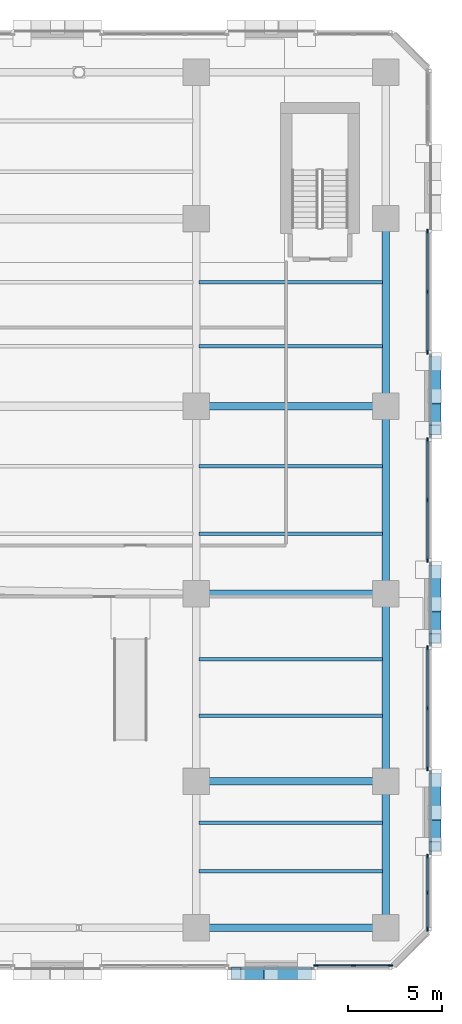
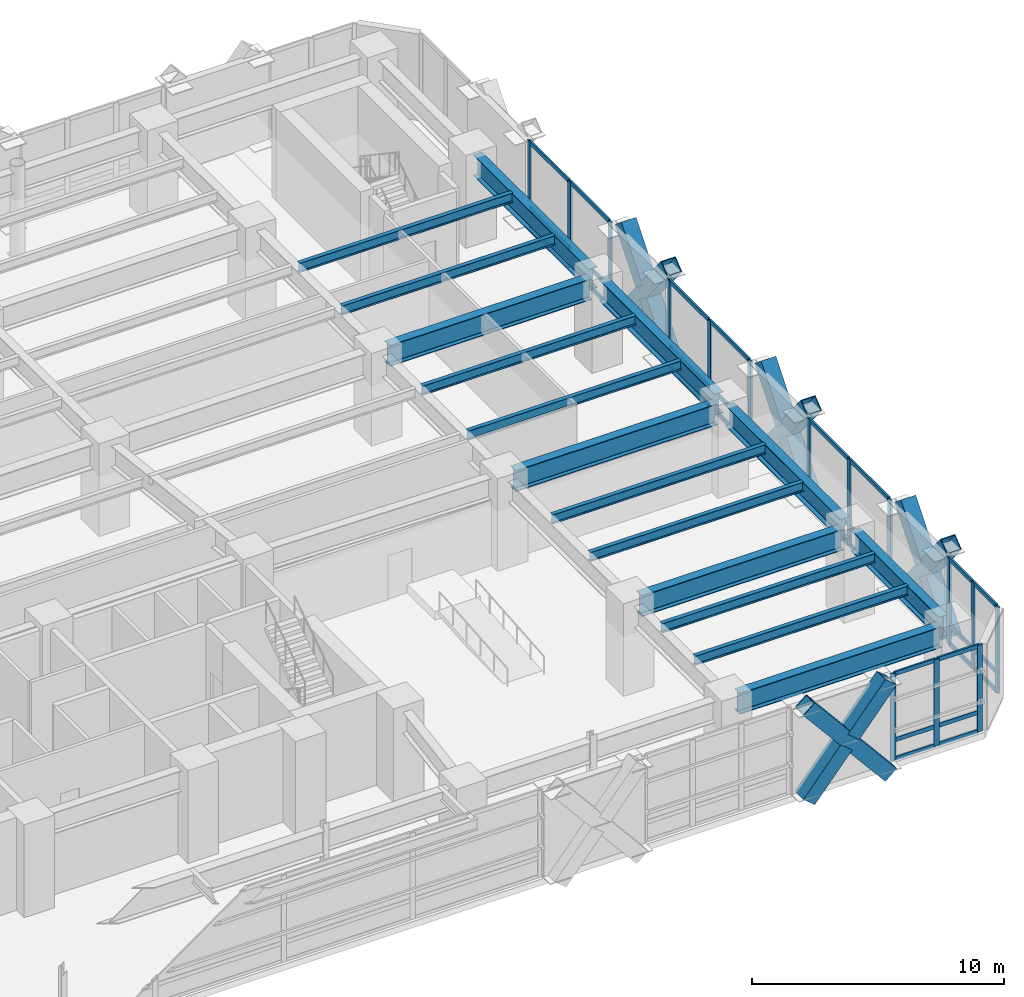
# One storey, part 12 of 30: 57 members, 16 beams, 5 elements without a shape of their own.
"""IFC4 building model written with IfcOpenShell, lengths in metres."""

from ifc_helpers import new_model, si_unit, direction, frame, origin, origin_2d, place, context, subcontext, project, spatial, rectangle, hollow_rectangle, i_section, extrude, material, material_profile, profile_set, type_object, element, aggregate, save


model = new_model("IFC4")

# Units and contexts
model_context = context("Model", 3, precision=1e-05, world=origin(), true_north=direction((0.0, 1.0)))
body_context = subcontext(model_context, "Body", "Model", "MODEL_VIEW")
ifc_project = project(units=[si_unit("LENGTHUNIT", "METRE"), si_unit("AREAUNIT", "SQUARE_METRE"), si_unit("VOLUMEUNIT", "CUBIC_METRE"), si_unit("PLANEANGLEUNIT", "RADIAN"), si_unit("MASSUNIT", "GRAM", prefix="KILO")], contexts=[model_context])

# Site, building, storey
site_placement = place(None, origin())
site = spatial("IfcSite", under=ifc_project, at=site_placement, CompositionType="ELEMENT")
building_placement = place(site_placement, origin())
building = spatial("IfcBuilding", under=site, at=building_placement, Name="Quenlor Broadcast Tower", CompositionType="ELEMENT")
storey_placement = place(building_placement, frame((0.0, 0.0, 9.5)))
storey = spatial("IfcBuildingStorey", under=building, at=storey_placement, Name="L02", CompositionType="ELEMENT", Elevation=9.5)

# Curtain wall, members
ifc_material_1 = material(Name="Architectural Terracotta and Low-E Glazing", Category="masonry")
curtain_wall_type = type_object("IfcCurtainWallType", Name="Station Concourse and Crown Terracotta Curtain Wall", PredefinedType="NOTDEFINED", material=ifc_material_1)
curtain_wall_1_placement = place(storey_placement, origin())
curtain_wall_1 = element("IfcCurtainWall", 1, at=curtain_wall_1_placement, inside=storey, type_object=curtain_wall_type, Name="L02 Curtain Wall CW6 (L02-S-FULL-G1)", PredefinedType="NOTDEFINED")
ifc_material_2 = material(Name="Aluminium 6063-T6", Category="aluminium")
ifc_material_profile_1 = material_profile(ifc_material_2, rectangle(XDim=0.08203125, YDim=0.239990234375, at=origin_2d()))
ifc_profile_set_1 = profile_set([ifc_material_profile_1], Name="Aluminium 6063-T6 MULL82x240")
member_type_1 = type_object("IfcMemberType", Name="CW6 Aluminium Mullion MULL_CW6", PredefinedType="MULLION", material=ifc_profile_set_1)
member_1_placement = place(storey_placement, frame((34.85888671875, -24.820068359375, 0.0), z_axis=(0.0, 0.0, 1.0), x_axis=(0.0, -1.0, 0.0)))
member_1 = element("IfcMember", 2, at=member_1_placement, type_object=member_type_1, Name="CW6 mullion 1", PredefinedType="MULLION", context=body_context, shape_type="SweptSolid", body=[
    extrude(rectangle(XDim=0.08203125, YDim=0.239990234375, at=origin_2d()), origin(), (0.0, 0.0, 1.0), 4.199951171875),
])
member_2_placement = place(storey_placement, frame((32.874755859375, -24.820068359375, 0.0), z_axis=(0.0, 0.0, 1.0), x_axis=(0.0, -1.0, 0.0)))
member_2 = element("IfcMember", 3, at=member_2_placement, type_object=member_type_1, Name="CW6 mullion 2", PredefinedType="MULLION", context=body_context, shape_type="SweptSolid", body=[
    extrude(rectangle(XDim=0.08203125, YDim=0.239990234375, at=origin_2d()), origin(), (0.0, 0.0, 1.0), 4.199951171875),
])
member_3_placement = place(storey_placement, frame((30.890380859375, -24.820068359375, 0.0), z_axis=(0.0, 0.0, 1.0), x_axis=(0.0, -1.0, 0.0)))
member_3 = element("IfcMember", 4, at=member_3_placement, type_object=member_type_1, Name="CW6 mullion 3", PredefinedType="MULLION", context=body_context, shape_type="SweptSolid", body=[
    extrude(rectangle(XDim=0.08203125, YDim=0.239990234375, at=origin_2d()), origin(), (0.0, 0.0, 1.0), 4.199951171875),
])

curtain_wall_2_placement = place(storey_placement, origin())
curtain_wall_2 = element("IfcCurtainWall", 5, at=curtain_wall_2_placement, inside=storey, type_object=curtain_wall_type, Name="L02 Curtain Wall CW6 (L02-E-FULL-G2)", PredefinedType="NOTDEFINED")
member_4_placement = place(storey_placement, frame((36.820068359375, 14.306396484375, 0.0), z_axis=(0.0, 0.0, 1.0), x_axis=(1.0, 0.0, 0.0)))
member_4 = element("IfcMember", 6, at=member_4_placement, type_object=member_type_1, Name="CW6 mullion 1", PredefinedType="MULLION", context=body_context, shape_type="SweptSolid", body=[
    extrude(rectangle(XDim=0.08203125, YDim=0.239990234375, at=origin_2d()), origin(), (0.0, 0.0, 1.0), 4.199951171875),
])
member_5_placement = place(storey_placement, frame((36.820068359375, 11.10009765625, 0.0), z_axis=(0.0, 0.0, 1.0), x_axis=(1.0, 0.0, 0.0)))
member_5 = element("IfcMember", 7, at=member_5_placement, type_object=member_type_1, Name="CW6 mullion 2", PredefinedType="MULLION", context=body_context, shape_type="SweptSolid", body=[
    extrude(rectangle(XDim=0.08203125, YDim=0.239990234375, at=origin_2d()), origin(), (0.0, 0.0, 1.0), 4.199951171875),
])
member_6_placement = place(storey_placement, frame((36.820068359375, 7.893798828125, 0.0), z_axis=(0.0, 0.0, 1.0), x_axis=(1.0, 0.0, 0.0)))
member_6 = element("IfcMember", 8, at=member_6_placement, type_object=member_type_1, Name="CW6 mullion 3", PredefinedType="MULLION", context=body_context, shape_type="SweptSolid", body=[
    extrude(rectangle(XDim=0.08203125, YDim=0.239990234375, at=origin_2d()), origin(), (0.0, 0.0, 1.0), 4.199951171875),
])

curtain_wall_3_placement = place(storey_placement, origin())
curtain_wall_3 = element("IfcCurtainWall", 9, at=curtain_wall_3_placement, inside=storey, type_object=curtain_wall_type, Name="L02 Curtain Wall CW6 (L02-E-FULL-G3)", PredefinedType="NOTDEFINED")
member_7_placement = place(storey_placement, frame((36.820068359375, 3.206298828125, 0.0), z_axis=(0.0, 0.0, 1.0), x_axis=(1.0, 0.0, 0.0)))
member_7 = element("IfcMember", 10, at=member_7_placement, type_object=member_type_1, Name="CW6 mullion 1", PredefinedType="MULLION", context=body_context, shape_type="SweptSolid", body=[
    extrude(rectangle(XDim=0.08203125, YDim=0.239990234375, at=origin_2d()), origin(), (0.0, 0.0, 1.0), 4.199951171875),
])
member_8_placement = place(storey_placement, frame((36.820068359375, 0.0, 0.0), z_axis=(0.0, 0.0, 1.0), x_axis=(1.0, 0.0, 0.0)))
member_8 = element("IfcMember", 11, at=member_8_placement, type_object=member_type_1, Name="CW6 mullion 2", PredefinedType="MULLION", context=body_context, shape_type="SweptSolid", body=[
    extrude(rectangle(XDim=0.08203125, YDim=0.239990234375, at=origin_2d()), origin(), (0.0, 0.0, 1.0), 4.199951171875),
])
member_9_placement = place(storey_placement, frame((36.820068359375, -3.206298828125, 0.0), z_axis=(0.0, 0.0, 1.0), x_axis=(1.0, 0.0, 0.0)))
member_9 = element("IfcMember", 12, at=member_9_placement, type_object=member_type_1, Name="CW6 mullion 3", PredefinedType="MULLION", context=body_context, shape_type="SweptSolid", body=[
    extrude(rectangle(XDim=0.08203125, YDim=0.239990234375, at=origin_2d()), origin(), (0.0, 0.0, 1.0), 4.199951171875),
])

curtain_wall_4_placement = place(storey_placement, origin())
curtain_wall_4 = element("IfcCurtainWall", 13, at=curtain_wall_4_placement, inside=storey, type_object=curtain_wall_type, Name="L02 Curtain Wall CW6 (L02-E-FULL-G4)", PredefinedType="NOTDEFINED")
member_10_placement = place(storey_placement, frame((36.820068359375, -7.893798828125, 0.0), z_axis=(0.0, 0.0, 1.0), x_axis=(1.0, 0.0, 0.0)))
member_10 = element("IfcMember", 14, at=member_10_placement, type_object=member_type_1, Name="CW6 mullion 1", PredefinedType="MULLION", context=body_context, shape_type="SweptSolid", body=[
    extrude(rectangle(XDim=0.08203125, YDim=0.239990234375, at=origin_2d()), origin(), (0.0, 0.0, 1.0), 4.199951171875),
])
member_11_placement = place(storey_placement, frame((36.820068359375, -11.10009765625, 0.0), z_axis=(0.0, 0.0, 1.0), x_axis=(1.0, 0.0, 0.0)))
member_11 = element("IfcMember", 15, at=member_11_placement, type_object=member_type_1, Name="CW6 mullion 2", PredefinedType="MULLION", context=body_context, shape_type="SweptSolid", body=[
    extrude(rectangle(XDim=0.08203125, YDim=0.239990234375, at=origin_2d()), origin(), (0.0, 0.0, 1.0), 4.199951171875),
])
member_12_placement = place(storey_placement, frame((36.820068359375, -14.306396484375, 0.0), z_axis=(0.0, 0.0, 1.0), x_axis=(1.0, 0.0, 0.0)))
member_12 = element("IfcMember", 16, at=member_12_placement, type_object=member_type_1, Name="CW6 mullion 3", PredefinedType="MULLION", context=body_context, shape_type="SweptSolid", body=[
    extrude(rectangle(XDim=0.08203125, YDim=0.239990234375, at=origin_2d()), origin(), (0.0, 0.0, 1.0), 4.199951171875),
])

curtain_wall_5_placement = place(storey_placement, origin())
curtain_wall_5 = element("IfcCurtainWall", 17, at=curtain_wall_5_placement, inside=storey, type_object=curtain_wall_type, Name="L02 Curtain Wall CW6 (L02-E-FULL-G5)", PredefinedType="NOTDEFINED")
member_13_placement = place(storey_placement, frame((36.820068359375, -18.99365234375, 0.0), z_axis=(0.0, 0.0, 1.0), x_axis=(1.0, 0.0, 0.0)))
member_13 = element("IfcMember", 18, at=member_13_placement, type_object=member_type_1, Name="CW6 mullion 1", PredefinedType="MULLION", context=body_context, shape_type="SweptSolid", body=[
    extrude(rectangle(XDim=0.08203125, YDim=0.239990234375, at=origin_2d()), origin(), (0.0, 0.0, 1.0), 4.199951171875),
])
member_14_placement = place(storey_placement, frame((36.820068359375, -20.92626953125, 0.0), z_axis=(0.0, 0.0, 1.0), x_axis=(1.0, 0.0, 0.0)))
member_14 = element("IfcMember", 19, at=member_14_placement, type_object=member_type_1, Name="CW6 mullion 2", PredefinedType="MULLION", context=body_context, shape_type="SweptSolid", body=[
    extrude(rectangle(XDim=0.08203125, YDim=0.239990234375, at=origin_2d()), origin(), (0.0, 0.0, 1.0), 4.199951171875),
])
member_15_placement = place(storey_placement, frame((36.820068359375, -22.85888671875, 0.0), z_axis=(0.0, 0.0, 1.0), x_axis=(1.0, 0.0, 0.0)))
member_15 = element("IfcMember", 20, at=member_15_placement, type_object=member_type_1, Name="CW6 mullion 3", PredefinedType="MULLION", context=body_context, shape_type="SweptSolid", body=[
    extrude(rectangle(XDim=0.08203125, YDim=0.239990234375, at=origin_2d()), origin(), (0.0, 0.0, 1.0), 4.199951171875),
])

# Member
ifc_material_3 = material(Name="Aluminium 6063-T6", Category="aluminium")
ifc_material_profile_2 = material_profile(ifc_material_3, rectangle(XDim=0.08203125, YDim=0.195068359375, at=origin_2d()))
ifc_profile_set_2 = profile_set([ifc_material_profile_2], Name="Aluminium 6063-T6 TRAN82x195")
member_type_2 = type_object("IfcMemberType", Name="CW6 Aluminium Transom TRAN_CW6", PredefinedType="USERDEFINED", material=ifc_profile_set_2)
member_16_placement = place(storey_placement, frame((34.818115234375, -24.820068359375, 0.041015625), z_axis=(-1.0, 0.0, 0.0), x_axis=(0.0, -1.0, 0.0)))
member_16 = element("IfcMember", 21, at=member_16_placement, type_object=member_type_2, Name="CW6 transom 1.1", ObjectType="TRANSOM", PredefinedType="USERDEFINED", context=body_context, shape_type="SweptSolid", body=[
    extrude(rectangle(XDim=0.08203125, YDim=0.195068359375, at=origin_2d()), origin(), (0.0, 0.0, 1.0), 1.90234375),
])

member_17_placement = place(storey_placement, frame((34.818115234375, -24.820068359375, 0.949951171875), z_axis=(-1.0, 0.0, 0.0), x_axis=(0.0, -1.0, 0.0)))
member_17 = element("IfcMember", 22, at=member_17_placement, type_object=member_type_2, Name="CW6 transom 1.2", ObjectType="TRANSOM", PredefinedType="USERDEFINED", context=body_context, shape_type="SweptSolid", body=[
    extrude(rectangle(XDim=0.08203125, YDim=0.195068359375, at=origin_2d()), origin(), (0.0, 0.0, 1.0), 1.90234375),
])

member_18_placement = place(storey_placement, frame((34.818115234375, -24.820068359375, 4.158935546875), z_axis=(-1.0, 0.0, 0.0), x_axis=(0.0, -1.0, 0.0)))
member_18 = element("IfcMember", 23, at=member_18_placement, type_object=member_type_2, Name="CW6 transom 1.3", ObjectType="TRANSOM", PredefinedType="USERDEFINED", context=body_context, shape_type="SweptSolid", body=[
    extrude(rectangle(XDim=0.08203125, YDim=0.195068359375, at=origin_2d()), origin(), (0.0, 0.0, 1.0), 1.90234375),
])

member_19_placement = place(storey_placement, frame((32.833740234375, -24.820068359375, 0.041015625), z_axis=(-1.0, 0.0, 0.0), x_axis=(0.0, -1.0, 0.0)))
member_19 = element("IfcMember", 24, at=member_19_placement, type_object=member_type_2, Name="CW6 transom 2.1", ObjectType="TRANSOM", PredefinedType="USERDEFINED", context=body_context, shape_type="SweptSolid", body=[
    extrude(rectangle(XDim=0.08203125, YDim=0.195068359375, at=origin_2d()), origin(), (0.0, 0.0, 1.0), 1.90234375),
])

member_20_placement = place(storey_placement, frame((32.833740234375, -24.820068359375, 0.949951171875), z_axis=(-1.0, 0.0, 0.0), x_axis=(0.0, -1.0, 0.0)))
member_20 = element("IfcMember", 25, at=member_20_placement, type_object=member_type_2, Name="CW6 transom 2.2", ObjectType="TRANSOM", PredefinedType="USERDEFINED", context=body_context, shape_type="SweptSolid", body=[
    extrude(rectangle(XDim=0.08203125, YDim=0.195068359375, at=origin_2d()), origin(), (0.0, 0.0, 1.0), 1.90234375),
])

member_21_placement = place(storey_placement, frame((32.833740234375, -24.820068359375, 4.158935546875), z_axis=(-1.0, 0.0, 0.0), x_axis=(0.0, -1.0, 0.0)))
member_21 = element("IfcMember", 26, at=member_21_placement, type_object=member_type_2, Name="CW6 transom 2.3", ObjectType="TRANSOM", PredefinedType="USERDEFINED", context=body_context, shape_type="SweptSolid", body=[
    extrude(rectangle(XDim=0.08203125, YDim=0.195068359375, at=origin_2d()), origin(), (0.0, 0.0, 1.0), 1.90234375),
])

aggregate(curtain_wall_1, [member_1, member_2, member_3, member_16, member_17, member_18, member_19, member_20, member_21])

member_22_placement = place(storey_placement, frame((36.820068359375, 14.265380859375, 0.041015625), z_axis=(0.0, -1.0, 0.0), x_axis=(1.0, 0.0, 0.0)))
member_22 = element("IfcMember", 27, at=member_22_placement, type_object=member_type_2, Name="CW6 transom 1.1", ObjectType="TRANSOM", PredefinedType="USERDEFINED", context=body_context, shape_type="SweptSolid", body=[
    extrude(rectangle(XDim=0.08203125, YDim=0.195068359375, at=origin_2d()), origin(), (0.0, 0.0, 1.0), 3.124267578125),
])

member_23_placement = place(storey_placement, frame((36.820068359375, 14.265380859375, 0.949951171875), z_axis=(0.0, -1.0, 0.0), x_axis=(1.0, 0.0, 0.0)))
member_23 = element("IfcMember", 28, at=member_23_placement, type_object=member_type_2, Name="CW6 transom 1.2", ObjectType="TRANSOM", PredefinedType="USERDEFINED", context=body_context, shape_type="SweptSolid", body=[
    extrude(rectangle(XDim=0.08203125, YDim=0.195068359375, at=origin_2d()), origin(), (0.0, 0.0, 1.0), 3.124267578125),
])

member_24_placement = place(storey_placement, frame((36.820068359375, 14.265380859375, 4.158935546875), z_axis=(0.0, -1.0, 0.0), x_axis=(1.0, 0.0, 0.0)))
member_24 = element("IfcMember", 29, at=member_24_placement, type_object=member_type_2, Name="CW6 transom 1.3", ObjectType="TRANSOM", PredefinedType="USERDEFINED", context=body_context, shape_type="SweptSolid", body=[
    extrude(rectangle(XDim=0.08203125, YDim=0.195068359375, at=origin_2d()), origin(), (0.0, 0.0, 1.0), 3.124267578125),
])

member_25_placement = place(storey_placement, frame((36.820068359375, 11.05908203125, 0.041015625), z_axis=(0.0, -1.0, 0.0), x_axis=(1.0, 0.0, 0.0)))
member_25 = element("IfcMember", 30, at=member_25_placement, type_object=member_type_2, Name="CW6 transom 2.1", ObjectType="TRANSOM", PredefinedType="USERDEFINED", context=body_context, shape_type="SweptSolid", body=[
    extrude(rectangle(XDim=0.08203125, YDim=0.195068359375, at=origin_2d()), origin(), (0.0, 0.0, 1.0), 3.124267578125),
])

member_26_placement = place(storey_placement, frame((36.820068359375, 11.05908203125, 0.949951171875), z_axis=(0.0, -1.0, 0.0), x_axis=(1.0, 0.0, 0.0)))
member_26 = element("IfcMember", 31, at=member_26_placement, type_object=member_type_2, Name="CW6 transom 2.2", ObjectType="TRANSOM", PredefinedType="USERDEFINED", context=body_context, shape_type="SweptSolid", body=[
    extrude(rectangle(XDim=0.08203125, YDim=0.195068359375, at=origin_2d()), origin(), (0.0, 0.0, 1.0), 3.124267578125),
])

member_27_placement = place(storey_placement, frame((36.820068359375, 11.05908203125, 4.158935546875), z_axis=(0.0, -1.0, 0.0), x_axis=(1.0, 0.0, 0.0)))
member_27 = element("IfcMember", 32, at=member_27_placement, type_object=member_type_2, Name="CW6 transom 2.3", ObjectType="TRANSOM", PredefinedType="USERDEFINED", context=body_context, shape_type="SweptSolid", body=[
    extrude(rectangle(XDim=0.08203125, YDim=0.195068359375, at=origin_2d()), origin(), (0.0, 0.0, 1.0), 3.124267578125),
])

aggregate(curtain_wall_2, [member_4, member_5, member_6, member_22, member_23, member_24, member_25, member_26, member_27])

member_28_placement = place(storey_placement, frame((36.820068359375, 3.165283203125, 0.041015625), z_axis=(0.0, -1.0, 0.0), x_axis=(1.0, 0.0, 0.0)))
member_28 = element("IfcMember", 33, at=member_28_placement, type_object=member_type_2, Name="CW6 transom 1.1", ObjectType="TRANSOM", PredefinedType="USERDEFINED", context=body_context, shape_type="SweptSolid", body=[
    extrude(rectangle(XDim=0.08203125, YDim=0.195068359375, at=origin_2d()), origin(), (0.0, 0.0, 1.0), 3.124267578125),
])

member_29_placement = place(storey_placement, frame((36.820068359375, 3.165283203125, 0.949951171875), z_axis=(0.0, -1.0, 0.0), x_axis=(1.0, 0.0, 0.0)))
member_29 = element("IfcMember", 34, at=member_29_placement, type_object=member_type_2, Name="CW6 transom 1.2", ObjectType="TRANSOM", PredefinedType="USERDEFINED", context=body_context, shape_type="SweptSolid", body=[
    extrude(rectangle(XDim=0.08203125, YDim=0.195068359375, at=origin_2d()), origin(), (0.0, 0.0, 1.0), 3.124267578125),
])

member_30_placement = place(storey_placement, frame((36.820068359375, 3.165283203125, 4.158935546875), z_axis=(0.0, -1.0, 0.0), x_axis=(1.0, 0.0, 0.0)))
member_30 = element("IfcMember", 35, at=member_30_placement, type_object=member_type_2, Name="CW6 transom 1.3", ObjectType="TRANSOM", PredefinedType="USERDEFINED", context=body_context, shape_type="SweptSolid", body=[
    extrude(rectangle(XDim=0.08203125, YDim=0.195068359375, at=origin_2d()), origin(), (0.0, 0.0, 1.0), 3.124267578125),
])

member_31_placement = place(storey_placement, frame((36.820068359375, -0.041015625, 0.041015625), z_axis=(0.0, -1.0, 0.0), x_axis=(1.0, 0.0, 0.0)))
member_31 = element("IfcMember", 36, at=member_31_placement, type_object=member_type_2, Name="CW6 transom 2.1", ObjectType="TRANSOM", PredefinedType="USERDEFINED", context=body_context, shape_type="SweptSolid", body=[
    extrude(rectangle(XDim=0.08203125, YDim=0.195068359375, at=origin_2d()), origin(), (0.0, 0.0, 1.0), 3.124267578125),
])

member_32_placement = place(storey_placement, frame((36.820068359375, -0.041015625, 0.949951171875), z_axis=(0.0, -1.0, 0.0), x_axis=(1.0, 0.0, 0.0)))
member_32 = element("IfcMember", 37, at=member_32_placement, type_object=member_type_2, Name="CW6 transom 2.2", ObjectType="TRANSOM", PredefinedType="USERDEFINED", context=body_context, shape_type="SweptSolid", body=[
    extrude(rectangle(XDim=0.08203125, YDim=0.195068359375, at=origin_2d()), origin(), (0.0, 0.0, 1.0), 3.124267578125),
])

member_33_placement = place(storey_placement, frame((36.820068359375, -0.041015625, 4.158935546875), z_axis=(0.0, -1.0, 0.0), x_axis=(1.0, 0.0, 0.0)))
member_33 = element("IfcMember", 38, at=member_33_placement, type_object=member_type_2, Name="CW6 transom 2.3", ObjectType="TRANSOM", PredefinedType="USERDEFINED", context=body_context, shape_type="SweptSolid", body=[
    extrude(rectangle(XDim=0.08203125, YDim=0.195068359375, at=origin_2d()), origin(), (0.0, 0.0, 1.0), 3.124267578125),
])

aggregate(curtain_wall_3, [member_7, member_8, member_9, member_28, member_29, member_30, member_31, member_32, member_33])

member_34_placement = place(storey_placement, frame((36.820068359375, -7.934814453125, 0.041015625), z_axis=(0.0, -1.0, 0.0), x_axis=(1.0, 0.0, 0.0)))
member_34 = element("IfcMember", 39, at=member_34_placement, type_object=member_type_2, Name="CW6 transom 1.1", ObjectType="TRANSOM", PredefinedType="USERDEFINED", context=body_context, shape_type="SweptSolid", body=[
    extrude(rectangle(XDim=0.08203125, YDim=0.195068359375, at=origin_2d()), origin(), (0.0, 0.0, 1.0), 3.124267578125),
])

member_35_placement = place(storey_placement, frame((36.820068359375, -7.934814453125, 0.949951171875), z_axis=(0.0, -1.0, 0.0), x_axis=(1.0, 0.0, 0.0)))
member_35 = element("IfcMember", 40, at=member_35_placement, type_object=member_type_2, Name="CW6 transom 1.2", ObjectType="TRANSOM", PredefinedType="USERDEFINED", context=body_context, shape_type="SweptSolid", body=[
    extrude(rectangle(XDim=0.08203125, YDim=0.195068359375, at=origin_2d()), origin(), (0.0, 0.0, 1.0), 3.124267578125),
])

member_36_placement = place(storey_placement, frame((36.820068359375, -7.934814453125, 4.158935546875), z_axis=(0.0, -1.0, 0.0), x_axis=(1.0, 0.0, 0.0)))
member_36 = element("IfcMember", 41, at=member_36_placement, type_object=member_type_2, Name="CW6 transom 1.3", ObjectType="TRANSOM", PredefinedType="USERDEFINED", context=body_context, shape_type="SweptSolid", body=[
    extrude(rectangle(XDim=0.08203125, YDim=0.195068359375, at=origin_2d()), origin(), (0.0, 0.0, 1.0), 3.124267578125),
])

member_37_placement = place(storey_placement, frame((36.820068359375, -11.14111328125, 0.041015625), z_axis=(0.0, -1.0, 0.0), x_axis=(1.0, 0.0, 0.0)))
member_37 = element("IfcMember", 42, at=member_37_placement, type_object=member_type_2, Name="CW6 transom 2.1", ObjectType="TRANSOM", PredefinedType="USERDEFINED", context=body_context, shape_type="SweptSolid", body=[
    extrude(rectangle(XDim=0.08203125, YDim=0.195068359375, at=origin_2d()), origin(), (0.0, 0.0, 1.0), 3.124267578125),
])

member_38_placement = place(storey_placement, frame((36.820068359375, -11.14111328125, 0.949951171875), z_axis=(0.0, -1.0, 0.0), x_axis=(1.0, 0.0, 0.0)))
member_38 = element("IfcMember", 43, at=member_38_placement, type_object=member_type_2, Name="CW6 transom 2.2", ObjectType="TRANSOM", PredefinedType="USERDEFINED", context=body_context, shape_type="SweptSolid", body=[
    extrude(rectangle(XDim=0.08203125, YDim=0.195068359375, at=origin_2d()), origin(), (0.0, 0.0, 1.0), 3.124267578125),
])

member_39_placement = place(storey_placement, frame((36.820068359375, -11.14111328125, 4.158935546875), z_axis=(0.0, -1.0, 0.0), x_axis=(1.0, 0.0, 0.0)))
member_39 = element("IfcMember", 44, at=member_39_placement, type_object=member_type_2, Name="CW6 transom 2.3", ObjectType="TRANSOM", PredefinedType="USERDEFINED", context=body_context, shape_type="SweptSolid", body=[
    extrude(rectangle(XDim=0.08203125, YDim=0.195068359375, at=origin_2d()), origin(), (0.0, 0.0, 1.0), 3.124267578125),
])

aggregate(curtain_wall_4, [member_10, member_11, member_12, member_34, member_35, member_36, member_37, member_38, member_39])

member_40_placement = place(storey_placement, frame((36.820068359375, -19.03466796875, 0.041015625), z_axis=(0.0, -1.0, 0.0), x_axis=(1.0, 0.0, 0.0)))
member_40 = element("IfcMember", 45, at=member_40_placement, type_object=member_type_2, Name="CW6 transom 1.1", ObjectType="TRANSOM", PredefinedType="USERDEFINED", context=body_context, shape_type="SweptSolid", body=[
    extrude(rectangle(XDim=0.08203125, YDim=0.195068359375, at=origin_2d()), origin(), (0.0, 0.0, 1.0), 1.8505859375),
])

member_41_placement = place(storey_placement, frame((36.820068359375, -19.03466796875, 0.949951171875), z_axis=(0.0, -1.0, 0.0), x_axis=(1.0, 0.0, 0.0)))
member_41 = element("IfcMember", 46, at=member_41_placement, type_object=member_type_2, Name="CW6 transom 1.2", ObjectType="TRANSOM", PredefinedType="USERDEFINED", context=body_context, shape_type="SweptSolid", body=[
    extrude(rectangle(XDim=0.08203125, YDim=0.195068359375, at=origin_2d()), origin(), (0.0, 0.0, 1.0), 1.8505859375),
])

member_42_placement = place(storey_placement, frame((36.820068359375, -19.03466796875, 4.158935546875), z_axis=(0.0, -1.0, 0.0), x_axis=(1.0, 0.0, 0.0)))
member_42 = element("IfcMember", 47, at=member_42_placement, type_object=member_type_2, Name="CW6 transom 1.3", ObjectType="TRANSOM", PredefinedType="USERDEFINED", context=body_context, shape_type="SweptSolid", body=[
    extrude(rectangle(XDim=0.08203125, YDim=0.195068359375, at=origin_2d()), origin(), (0.0, 0.0, 1.0), 1.8505859375),
])

member_43_placement = place(storey_placement, frame((36.820068359375, -20.96728515625, 0.041015625), z_axis=(0.0, -1.0, 0.0), x_axis=(1.0, 0.0, 0.0)))
member_43 = element("IfcMember", 48, at=member_43_placement, type_object=member_type_2, Name="CW6 transom 2.1", ObjectType="TRANSOM", PredefinedType="USERDEFINED", context=body_context, shape_type="SweptSolid", body=[
    extrude(rectangle(XDim=0.08203125, YDim=0.195068359375, at=origin_2d()), origin(), (0.0, 0.0, 1.0), 1.850830078125),
])

member_44_placement = place(storey_placement, frame((36.820068359375, -20.96728515625, 0.949951171875), z_axis=(0.0, -1.0, 0.0), x_axis=(1.0, 0.0, 0.0)))
member_44 = element("IfcMember", 49, at=member_44_placement, type_object=member_type_2, Name="CW6 transom 2.2", ObjectType="TRANSOM", PredefinedType="USERDEFINED", context=body_context, shape_type="SweptSolid", body=[
    extrude(rectangle(XDim=0.08203125, YDim=0.195068359375, at=origin_2d()), origin(), (0.0, 0.0, 1.0), 1.850830078125),
])

member_45_placement = place(storey_placement, frame((36.820068359375, -20.96728515625, 4.158935546875), z_axis=(0.0, -1.0, 0.0), x_axis=(1.0, 0.0, 0.0)))
member_45 = element("IfcMember", 50, at=member_45_placement, type_object=member_type_2, Name="CW6 transom 2.3", ObjectType="TRANSOM", PredefinedType="USERDEFINED", context=body_context, shape_type="SweptSolid", body=[
    extrude(rectangle(XDim=0.08203125, YDim=0.195068359375, at=origin_2d()), origin(), (0.0, 0.0, 1.0), 1.850830078125),
])

aggregate(curtain_wall_5, [member_13, member_14, member_15, member_40, member_41, member_42, member_43, member_44, member_45])

# Members
ifc_material_4 = material(Name="Steel S355", Category="steel")
ifc_material_profile_3 = material_profile(ifc_material_4, hollow_rectangle(XDim=0.679931640625, YDim=0.679931640625, WallThickness=0.034912109375, at=origin_2d()))
ifc_profile_set_3 = profile_set([ifc_material_profile_3], Name="Steel S355 RHS680x680x35")
member_type_3 = type_object("IfcMemberType", Name="Perimeter Diagonal Lattice Brace Z1 Steel S355 RHS680x35", PredefinedType="BRACE", material=ifc_profile_set_3)
member_46_placement = place(storey_placement, frame((30.377197265625, -25.215087890625, -0.1201171875), z_axis=(-0.640626831312, 0.0, 0.767852370578), x_axis=(0.0, -1.0, 0.0)))
element("IfcMember", 51, at=member_46_placement, inside=storey, type_object=member_type_3, Name="L02 Podium Diamond Lattice S-P1XA", PredefinedType="BRACE", context=body_context, shape_type="SweptSolid", body=[
    extrude(hollow_rectangle(XDim=0.679931640625, YDim=0.679931640625, WallThickness=0.034912109375, at=origin_2d()), origin(), (0.0, 0.0, 1.0), 5.860595703125),
])
member_47_placement = place(storey_placement, frame((26.622802734375, -25.215087890625, -0.1201171875), z_axis=(0.640614349103, 0.0, 0.767862784437), x_axis=(0.0, 1.0, 0.0)))
element("IfcMember", 52, at=member_47_placement, inside=storey, type_object=member_type_3, Name="L02 Podium Diamond Lattice S-P1XB1", PredefinedType="BRACE", context=body_context, shape_type="SweptSolid", body=[
    extrude(hollow_rectangle(XDim=0.679931640625, YDim=0.679931640625, WallThickness=0.034912109375, at=origin_2d()), origin(), (0.0, 0.0, 1.0), 2.680419921875),
])
member_48_placement = place(storey_placement, frame((28.66015625, -25.215087890625, 2.322021484375), z_axis=(0.640659157162, 0.0, 0.767825399648), x_axis=(0.0, 1.0, 0.0)))
element("IfcMember", 53, at=member_48_placement, inside=storey, type_object=member_type_3, Name="L02 Podium Diamond Lattice S-P1XB2", PredefinedType="BRACE", context=body_context, shape_type="SweptSolid", body=[
    extrude(hollow_rectangle(XDim=0.679931640625, YDim=0.679931640625, WallThickness=0.034912109375, at=origin_2d()), origin(), (0.0, 0.0, 1.0), 2.68017578125),
])
member_49_placement = place(storey_placement, frame((37.215087890625, 7.377685546875, -0.1201171875), z_axis=(0.0, -0.630516526394, 0.776175824117), x_axis=(1.0, 0.0, 0.0)))
element("IfcMember", 54, at=member_49_placement, inside=storey, type_object=member_type_3, Name="L02 Podium Diamond Lattice E-P2XA", PredefinedType="BRACE", context=body_context, shape_type="SweptSolid", body=[
    extrude(hollow_rectangle(XDim=0.679931640625, YDim=0.679931640625, WallThickness=0.034912109375, at=origin_2d()), origin(), (0.0, 0.0, 1.0), 5.797607421875),
])
for number, where, z_axis, x_axis, name in (
    (55, (37.215087890625, 3.72216796875, -0.1201171875), (0.0, 0.630488529208, 0.776198566436), (-1.0, 0.0, 0.0), "L02 Podium Diamond Lattice E-P2XB1"),
    (56, (37.215087890625, 5.70751953125, 2.323974609375), (0.0, 0.630533634598, 0.776161926173), (-1.0, 0.0, 0.0), "L02 Podium Diamond Lattice E-P2XB2"),
):
    element("IfcMember", number, at=place(storey_placement, frame(where, z_axis=z_axis, x_axis=x_axis)), inside=storey, type_object=member_type_3, Name=name, PredefinedType="BRACE", context=body_context, shape_type="SweptSolid", body=[
        extrude(hollow_rectangle(XDim=0.679931640625, YDim=0.679931640625, WallThickness=0.034912109375, at=origin_2d()), origin(), (0.0, 0.0, 1.0), 2.64892578125),
    ])
member_50_placement = place(storey_placement, frame((37.215087890625, -3.72216796875, -0.1201171875), z_axis=(0.0, -0.630516526394, 0.776175824117), x_axis=(1.0, 0.0, 0.0)))
element("IfcMember", 57, at=member_50_placement, inside=storey, type_object=member_type_3, Name="L02 Podium Diamond Lattice E-P3XA", PredefinedType="BRACE", context=body_context, shape_type="SweptSolid", body=[
    extrude(hollow_rectangle(XDim=0.679931640625, YDim=0.679931640625, WallThickness=0.034912109375, at=origin_2d()), origin(), (0.0, 0.0, 1.0), 5.797607421875),
])
for number, where, z_axis, x_axis, name in (
    (58, (37.215087890625, -7.377685546875, -0.1201171875), (0.0, 0.630488529208, 0.776198566436), (-1.0, 0.0, 0.0), "L02 Podium Diamond Lattice E-P3XB1"),
    (59, (37.215087890625, -5.392333984375, 2.323974609375), (0.0, 0.630533634598, 0.776161926173), (-1.0, 0.0, 0.0), "L02 Podium Diamond Lattice E-P3XB2"),
):
    element("IfcMember", number, at=place(storey_placement, frame(where, z_axis=z_axis, x_axis=x_axis)), inside=storey, type_object=member_type_3, Name=name, PredefinedType="BRACE", context=body_context, shape_type="SweptSolid", body=[
        extrude(hollow_rectangle(XDim=0.679931640625, YDim=0.679931640625, WallThickness=0.034912109375, at=origin_2d()), origin(), (0.0, 0.0, 1.0), 2.64892578125),
    ])
member_51_placement = place(storey_placement, frame((37.215087890625, -14.822265625, -0.1201171875), z_axis=(0.0, -0.630516526394, 0.776175824117), x_axis=(1.0, 0.0, 0.0)))
element("IfcMember", 60, at=member_51_placement, inside=storey, type_object=member_type_3, Name="L02 Podium Diamond Lattice E-P4XA", PredefinedType="BRACE", context=body_context, shape_type="SweptSolid", body=[
    extrude(hollow_rectangle(XDim=0.679931640625, YDim=0.679931640625, WallThickness=0.034912109375, at=origin_2d()), origin(), (0.0, 0.0, 1.0), 5.797607421875),
])
for number, where, z_axis, x_axis, name in (
    (61, (37.215087890625, -18.477783203125, -0.1201171875), (0.0, 0.630488529208, 0.776198566436), (-1.0, 0.0, 0.0), "L02 Podium Diamond Lattice E-P4XB1"),
    (62, (37.215087890625, -16.492431640625, 2.323974609375), (0.0, 0.630533634598, 0.776161926173), (-1.0, 0.0, 0.0), "L02 Podium Diamond Lattice E-P4XB2"),
):
    element("IfcMember", number, at=place(storey_placement, frame(where, z_axis=z_axis, x_axis=x_axis)), inside=storey, type_object=member_type_3, Name=name, PredefinedType="BRACE", context=body_context, shape_type="SweptSolid", body=[
        extrude(hollow_rectangle(XDim=0.679931640625, YDim=0.679931640625, WallThickness=0.034912109375, at=origin_2d()), origin(), (0.0, 0.0, 1.0), 2.64892578125),
    ])

# Beams
ifc_material_5 = material(Name="Steel S355", Category="steel")
ifc_material_profile_4 = material_profile(ifc_material_5, i_section(OverallWidth=0.39990234375, OverallDepth=1.02392578125, WebThickness=0.01611328125, FlangeThickness=0.031982421875, FilletRadius=0.01611328125, at=origin_2d()))
ifc_profile_set_4 = profile_set([ifc_material_profile_4], Name="Steel S355 1000WB322")
beam_type_1 = type_object("IfcBeamType", Name="Podium Concourse Girder Steel S355 1000WB322", PredefinedType="BEAM", material=ifc_profile_set_4)
for number, where, z_axis, x_axis, name in (
    (63, (24.919921875, -22.800048828125, 3.68798828125), (1.0, 0.0, 0.0), (0.0, 1.0, 0.0), "L02 Podium Girder 9"),
    (64, (24.919921875, -15.0, 3.68798828125), (1.0, 0.0, 0.0), (0.0, 1.0, 0.0), "L02 Podium Girder 11"),
    (65, (24.919921875, -5.0, 3.68798828125), (1.0, 0.0, 0.0), (0.0, 1.0, 0.0), "L02 Podium Girder 13"),
    (66, (24.919921875, 5.0, 3.68798828125), (1.0, 0.0, 0.0), (0.0, 1.0, 0.0), "L02 Podium Girder 18"),
):
    element("IfcBeam", number, at=place(storey_placement, frame(where, z_axis=z_axis, x_axis=x_axis)), inside=storey, type_object=beam_type_1, Name=name, PredefinedType="BEAM", context=body_context, shape_type="SweptSolid", body=[
        extrude(i_section(OverallWidth=0.39990234375, OverallDepth=1.02392578125, WebThickness=0.01611328125, FlangeThickness=0.031982421875, FilletRadius=0.01611328125, at=origin_2d()), origin(), (0.0, 0.0, 1.0), 9.260009765625),
    ])
beam_placement = place(storey_placement, frame((34.60009765625, -22.3798828125, 3.68798828125), z_axis=(0.0, 1.0, 0.0), x_axis=(-1.0, 0.0, 0.0)))
element("IfcBeam", 67, at=beam_placement, inside=storey, type_object=beam_type_1, Name="L02 Podium Girder 49", PredefinedType="BEAM", context=body_context, shape_type="SweptSolid", body=[
    extrude(i_section(OverallWidth=0.39990234375, OverallDepth=1.02392578125, WebThickness=0.01611328125, FlangeThickness=0.031982421875, FilletRadius=0.01611328125, at=origin_2d()), origin(), (0.0, 0.0, 1.0), 6.9599609375),
])
for number, where, z_axis, x_axis, name in (
    (68, (34.60009765625, -14.580078125, 3.68798828125), (0.0, 1.0, 0.0), (-1.0, 0.0, 0.0), "L02 Podium Girder 50"),
    (69, (34.60009765625, -4.580078125, 3.68798828125), (0.0, 1.0, 0.0), (-1.0, 0.0, 0.0), "L02 Podium Girder 51"),
    (70, (34.60009765625, 5.419921875, 3.68798828125), (0.0, 1.0, 0.0), (-1.0, 0.0, 0.0), "L02 Podium Girder 52"),
):
    element("IfcBeam", number, at=place(storey_placement, frame(where, z_axis=z_axis, x_axis=x_axis)), inside=storey, type_object=beam_type_1, Name=name, PredefinedType="BEAM", context=body_context, shape_type="SweptSolid", body=[
        extrude(i_section(OverallWidth=0.39990234375, OverallDepth=1.02392578125, WebThickness=0.01611328125, FlangeThickness=0.031982421875, FilletRadius=0.01611328125, at=origin_2d()), origin(), (0.0, 0.0, 1.0), 9.16015625),
    ])
ifc_material_6 = material(Name="Steel S355", Category="steel")
ifc_material_profile_5 = material_profile(ifc_material_6, i_section(OverallWidth=0.18994140625, OverallDepth=0.453857421875, WebThickness=0.008544921875, FlangeThickness=0.0126953125, FilletRadius=0.011474609375, at=origin_2d()))
ifc_profile_set_5 = profile_set([ifc_material_profile_5], Name="Steel S355 460UB67.1")
beam_type_2 = type_object("IfcBeamType", Name="Podium Floor Joist Steel S355 460UB67.1", PredefinedType="JOIST", material=ifc_profile_set_5)
for number, where, z_axis, x_axis, name in (
    (71, (24.659912109375, 8.199951171875, 3.97314453125), (1.0, 0.0, 0.0), (0.0, 1.0, 0.0), "L02 Podium Floor Joist 5"),
    (72, (24.659912109375, 11.60009765625, 3.97314453125), (1.0, 0.0, 0.0), (0.0, 1.0, 0.0), "L02 Podium Floor Joist 10"),
    (73, (24.659912109375, -19.800048828125, 3.97314453125), (1.0, 0.0, 0.0), (0.0, 1.0, 0.0), "L02 Podium Floor Joist 22"),
    (74, (24.659912109375, -17.199951171875, 3.97314453125), (1.0, 0.0, 0.0), (0.0, 1.0, 0.0), "L02 Podium Floor Joist 24"),
    (75, (24.659912109375, -11.5, 3.97314453125), (1.0, 0.0, 0.0), (0.0, 1.0, 0.0), "L02 Podium Floor Joist 26"),
    (76, (24.659912109375, -8.5, 3.97314453125), (1.0, 0.0, 0.0), (0.0, 1.0, 0.0), "L02 Podium Floor Joist 28"),
    (77, (24.659912109375, -1.800048828125, 3.97314453125), (1.0, 0.0, 0.0), (0.0, 1.0, 0.0), "L02 Podium Floor Joist 30"),
    (78, (24.659912109375, 1.800048828125, 3.97314453125), (1.0, 0.0, 0.0), (0.0, 1.0, 0.0), "L02 Podium Floor Joist 32"),
):
    element("IfcBeam", number, at=place(storey_placement, frame(where, z_axis=z_axis, x_axis=x_axis)), inside=storey, type_object=beam_type_2, Name=name, PredefinedType="JOIST", context=body_context, shape_type="SweptSolid", body=[
        extrude(i_section(OverallWidth=0.18994140625, OverallDepth=0.453857421875, WebThickness=0.008544921875, FlangeThickness=0.0126953125, FilletRadius=0.011474609375, at=origin_2d()), origin(), (0.0, 0.0, 1.0), 9.780029296875),
    ])

save(model, "model.ifc")
